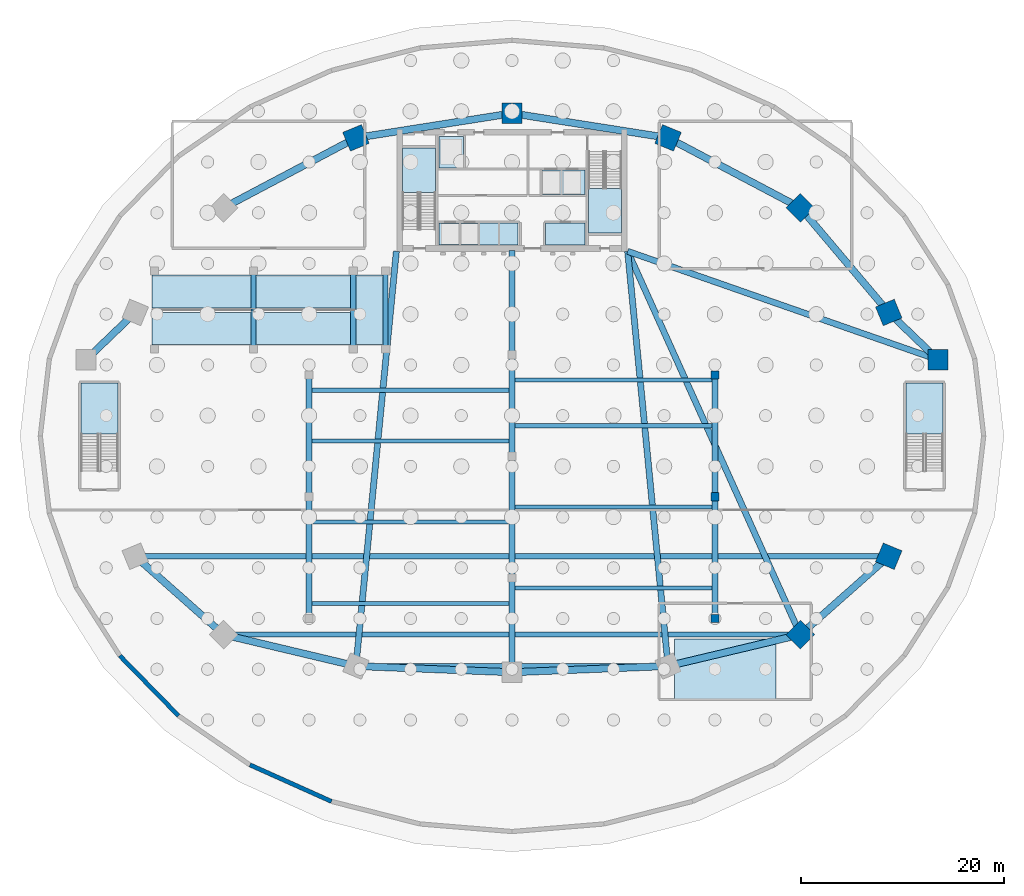
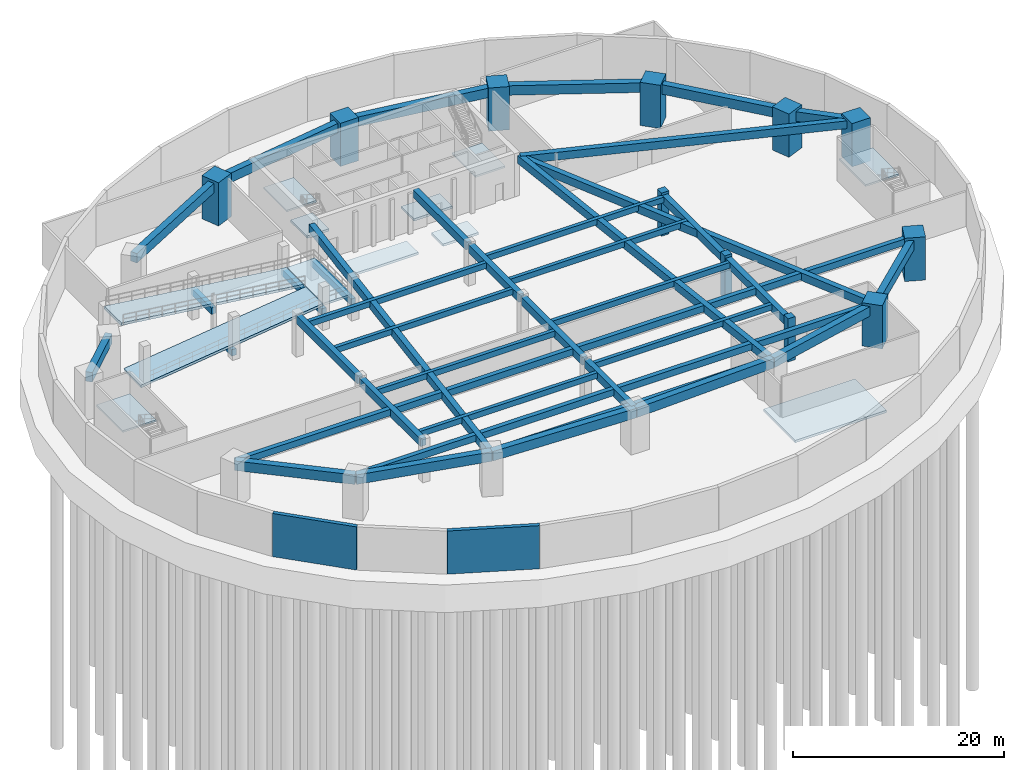
# One storey, part 3 of 11: 40 beams, 12 slabs, 11 columns, 2 walls, 4 elements without a shape of their own.
"""IFC4 building model written with IfcOpenShell, lengths in metres."""

import ifcopenshell
import ifcopenshell.guid

model = None  # the IFC model being written
_history = None  # IfcOwnerHistory: only IFC2X3 demands one
_inside = {}  # id of a spatial element -> (the spatial element, [elements in it])
_under = {}  # id of a project, library or spatial element -> (it, [spatial elements below it])
_declared = {}  # id of a project -> (the project, [libraries it declares])
_typed = {}  # id of a type object -> (the type object, [elements of that type])
_made_of = {}  # id of a material, layer set ... -> (it, [elements and type objects made of it])


def new_model(schema):
    """Start an empty IFC model of exactly this schema.

    Asked for "IFC4X3", IfcOpenShell would pick the latest addendum, in which some entities
    have other attributes; the version numbers below select the first issue.
    IFC2X3 requires an IfcOwnerHistory on every rooted entity: one is made here for all.
    """
    global model, _history
    if schema == "IFC4X3":
        model = ifcopenshell.file(schema_version=(4, 3, 0, 0))
    else:
        model = ifcopenshell.file(schema=schema)
    _inside.clear()
    _under.clear()
    _declared.clear()
    _typed.clear()
    _made_of.clear()
    _history = None
    if model.schema == "IFC2X3":
        org = make("IfcOrganization", Name="unknown")
        user = make(
            "IfcPersonAndOrganization",
            ThePerson=make("IfcPerson", FamilyName="unknown"),
            TheOrganization=org,
        )
        app = make(
            "IfcApplication",
            ApplicationDeveloper=org,
            Version="unknown",
            ApplicationFullName="unknown",
            ApplicationIdentifier="unknown",
        )
        _history = make(
            "IfcOwnerHistory",
            OwningUser=user,
            OwningApplication=app,
            ChangeAction="ADDED",
            CreationDate=0,
        )
    return model


def make(cls, **values):
    """One entity of the class cls with the attributes given. An attribute that is None is left unset."""
    return model.create_entity(
        cls, **{name: value for name, value in values.items() if value is not None}
    )


def rooted(cls, **values):
    """An entity with a GlobalId (a new one), such as an element, a storey or a relation."""
    return make(cls, GlobalId=ifcopenshell.guid.new(), OwnerHistory=_history, **values)


def si_unit(unit_type, name, prefix=None):
    """IfcSIUnit, for example si_unit("LENGTHUNIT", "METRE", prefix="MILLI")."""
    return make("IfcSIUnit", UnitType=unit_type, Prefix=prefix, Name=name)


def assignment(units):
    """IfcUnitAssignment: the units of a project."""
    return None if units is None else make("IfcUnitAssignment", Units=units)


def point(xyz):
    """IfcCartesianPoint."""
    return None if xyz is None else make("IfcCartesianPoint", Coordinates=xyz)


def direction(xyz):
    """IfcDirection."""
    return None if xyz is None else make("IfcDirection", DirectionRatios=xyz)


def frame(location, z_axis=None, x_axis=None):
    """IfcAxis2Placement3D, a coordinate frame: its origin and axes. An axis left out is left unset."""
    return make(
        "IfcAxis2Placement3D",
        Location=point(location),
        Axis=direction(z_axis),
        RefDirection=direction(x_axis),
    )


def frame_2d(location, x_axis=None):
    """IfcAxis2Placement2D, a coordinate frame in the plane: its origin and x axis."""
    return make(
        "IfcAxis2Placement2D", Location=point(location), RefDirection=direction(x_axis)
    )


def origin():
    """The frame at (0, 0, 0) with its axes left unset."""
    return frame((0.0, 0.0, 0.0))


def origin_2d():
    """The frame at (0, 0) in the plane with its x axis left unset."""
    return frame_2d((0.0, 0.0))


def place(relative_to, where):
    """IfcLocalPlacement: puts the frame where relative to a parent placement (None: the world)."""
    return make(
        "IfcLocalPlacement", PlacementRelTo=relative_to, RelativePlacement=where
    )


def context(
    kind, dimensions, precision=None, world=None, true_north=None, identifier=None
):
    """IfcGeometricRepresentationContext, for example the 3D "Model" context."""
    return make(
        "IfcGeometricRepresentationContext",
        ContextIdentifier=identifier,
        ContextType=kind,
        CoordinateSpaceDimension=dimensions,
        Precision=precision,
        WorldCoordinateSystem=world,
        TrueNorth=true_north,
    )


def subcontext(parent, identifier, kind, view, scale=None):
    """IfcGeometricRepresentationSubContext, for example "Body" below "Model"."""
    return make(
        "IfcGeometricRepresentationSubContext",
        ContextIdentifier=identifier,
        ContextType=kind,
        ParentContext=parent,
        TargetScale=scale,
        TargetView=view,
    )


def project(units=None, contexts=None):
    """IfcProject with its units and contexts."""
    return rooted(
        "IfcProject",
        Name="project",
        RepresentationContexts=contexts,
        UnitsInContext=assignment(units),
    )


def spatial(cls, under=None, at=None, **own):
    """A site, building, storey or space (cls), placed at a placement, below another one or the project."""
    s = rooted(cls, ObjectPlacement=at, **own)
    if under is not None:
        _under.setdefault(under.id(), (under, []))[1].append(s)
    return s


def polyline(points):
    """IfcPolyline through the points."""
    return make("IfcPolyline", Points=[point(p) for p in points])


def profile(cls, at=None, kind="AREA", **sizes):
    """A parametric profile (cls). Its sizes go by their IFC names, for example OverallWidth=200.0."""
    return make(cls, ProfileType=kind, Position=at, **sizes)


def rectangle(**sizes):
    """IfcRectangleProfileDef."""
    return profile("IfcRectangleProfileDef", **sizes)


def outline(outer, holes=None, kind="AREA"):
    """IfcArbitraryClosedProfileDef: a profile drawn as a closed curve; with holes, ...WithVoids."""
    if holes is None:
        return make("IfcArbitraryClosedProfileDef", ProfileType=kind, OuterCurve=outer)
    return make(
        "IfcArbitraryProfileDefWithVoids",
        ProfileType=kind,
        OuterCurve=outer,
        InnerCurves=holes,
    )


def extrude(swept, where, along, depth):
    """IfcExtrudedAreaSolid: the profile swept, set in the frame where, extruded along a direction by depth."""
    return make(
        "IfcExtrudedAreaSolid",
        SweptArea=swept,
        Position=where,
        ExtrudedDirection=direction(along),
        Depth=depth,
    )


def shape(context_of_items, identifier, shape_type, items):
    """IfcShapeRepresentation: the items that make up one representation, for example the "Body"."""
    return make(
        "IfcShapeRepresentation",
        ContextOfItems=context_of_items,
        RepresentationIdentifier=identifier,
        RepresentationType=shape_type,
        Items=items,
    )


def source(mapping_origin, context_of_items, identifier, shape_type, items):
    """IfcRepresentationMap: a shape defined once, which mapped items show again and again."""
    return make(
        "IfcRepresentationMap",
        MappingOrigin=mapping_origin,
        MappedRepresentation=shape(context_of_items, identifier, shape_type, items),
    )


def transform(
    local_origin,
    x_axis=None,
    y_axis=None,
    z_axis=None,
    scale=None,
    scale2=None,
    scale3=None,
    uniform=True,
):
    """IfcCartesianTransformationOperator3D, or its non-uniform kind. x_axis, y_axis, z_axis: its Axis1, 2, 3."""
    if uniform:
        return make(
            "IfcCartesianTransformationOperator3D",
            Axis1=direction(x_axis),
            Axis2=direction(y_axis),
            LocalOrigin=point(local_origin),
            Scale=scale,
            Axis3=direction(z_axis),
        )
    return make(
        "IfcCartesianTransformationOperator3DnonUniform",
        Axis1=direction(x_axis),
        Axis2=direction(y_axis),
        LocalOrigin=point(local_origin),
        Scale=scale,
        Axis3=direction(z_axis),
        Scale2=scale2,
        Scale3=scale3,
    )


def mapped(mapping_source, mapping_target):
    """IfcMappedItem: shows the shape of a source again, moved by a transform."""
    return make(
        "IfcMappedItem", MappingSource=mapping_source, MappingTarget=mapping_target
    )


def material(Name=None, Category=None):
    """IfcMaterial."""
    return make("IfcMaterial", Name=Name, Category=Category)


def layer(
    of_material, thickness, ventilated=None, Name=None, Category=None, Priority=None
):
    """IfcMaterialLayer: one layer of a wall or slab, of a material (None: an air gap)."""
    return make(
        "IfcMaterialLayer",
        Material=of_material,
        LayerThickness=thickness,
        IsVentilated=ventilated,
        Name=Name,
        Category=Category,
        Priority=Priority,
    )


def layer_set(layers, Name=None):
    """IfcMaterialLayerSet."""
    return make("IfcMaterialLayerSet", MaterialLayers=layers, LayerSetName=Name)


def material_profile(
    of_material, cross_section, Name=None, Category=None, Priority=None
):
    """IfcMaterialProfile: a cross section and its material."""
    return make(
        "IfcMaterialProfile",
        Name=Name,
        Material=of_material,
        Profile=cross_section,
        Priority=Priority,
        Category=Category,
    )


def profile_set(profiles, Name=None, composite=None):
    """IfcMaterialProfileSet."""
    return make(
        "IfcMaterialProfileSet",
        Name=Name,
        MaterialProfiles=profiles,
        CompositeProfile=composite,
    )


def made_of(thing, what):
    """Note that an element or type object is made of a material, layer set ...; save() writes the relation."""
    if what is not None:
        _made_of.setdefault(what.id(), (what, []))[1].append(thing)
    return thing


def type_object(cls, material=None, **own):
    """A type object (cls), such as IfcWallType, which elements share."""
    return made_of(rooted(cls, **own), material)


def type_shapes(of_type, sources):
    """Give a type object the sources (RepresentationMaps) that its elements show as mapped items."""
    of_type.RepresentationMaps = sources


def element(
    cls,
    number,
    at=None,
    inside=None,
    cuts=None,
    type_object=None,
    material=None,
    context=None,
    identifier="Body",
    shape_type=None,
    held_by="IfcProductDefinitionShape",
    body=None,
    shapes=None,
    **own,
):
    """One element of the class cls, such as IfcWall. Its Tag is "e" and its number.

    at: its placement. inside: the storey or other place that contains it. cuts: it is an
    opening in that element (IfcRelVoidsElement). A single representation is given by context,
    identifier, shape_type and body (its items); several are given by shapes. held_by: the class
    of the entity that holds the representations. save() writes the other relations.
    """
    e = rooted(cls, Tag="e%d" % number, ObjectPlacement=at, **own)
    if body is not None:
        shapes = [shape(context, identifier, shape_type, body)]
    if shapes is not None:
        e.Representation = make(held_by, Representations=shapes)
    if inside is not None:
        _inside.setdefault(inside.id(), (inside, []))[1].append(e)
    if cuts is not None:
        rooted(
            "IfcRelVoidsElement", RelatingBuildingElement=cuts, RelatedOpeningElement=e
        )
    if type_object is not None:
        _typed.setdefault(type_object.id(), (type_object, []))[1].append(e)
    return made_of(e, material)


def aggregate(whole, parts):
    """IfcRelAggregates: a whole, such as a stair, and the parts it consists of."""
    return rooted("IfcRelAggregates", RelatingObject=whole, RelatedObjects=parts)


def save(model, path):
    """Write the relations noted so far, then the file.

    IfcRelAggregates (storeys below a building ...), IfcRelContainedInSpatialStructure (elements
    in a storey), IfcRelDefinesByType, IfcRelAssociatesMaterial and IfcRelDeclares: one each for
    every whole, place, type object, material and project.
    """
    for whole, parts in _under.values():
        aggregate(whole, parts)
    for where, things in _inside.values():
        rooted(
            "IfcRelContainedInSpatialStructure",
            RelatedElements=things,
            RelatingStructure=where,
        )
    for kind, things in _typed.values():
        rooted("IfcRelDefinesByType", RelatedObjects=things, RelatingType=kind)
    for what, things in _made_of.values():
        rooted("IfcRelAssociatesMaterial", RelatedObjects=things, RelatingMaterial=what)
    for by, libraries in _declared.values():
        rooted("IfcRelDeclares", RelatingContext=by, RelatedDefinitions=libraries)
    model.write(path)


model = new_model("IFC4")

# Units and contexts
model_context = context("Model", 3, precision=1e-05, world=origin(), true_north=direction((0.0, 1.0)))
body_context = subcontext(model_context, "Body", "Model", "MODEL_VIEW")
ifc_project = project(units=[si_unit("LENGTHUNIT", "METRE"), si_unit("AREAUNIT", "SQUARE_METRE"), si_unit("VOLUMEUNIT", "CUBIC_METRE"), si_unit("PLANEANGLEUNIT", "RADIAN"), si_unit("MASSUNIT", "GRAM", prefix="KILO")], contexts=[model_context])

# Site, building, storey
site_placement = place(None, origin())
site = spatial("IfcSite", under=ifc_project, at=site_placement, CompositionType="ELEMENT")
building_placement = place(site_placement, origin())
building = spatial("IfcBuilding", under=site, at=building_placement, Name="Breltana Convention Tower", CompositionType="ELEMENT")
storey_placement = place(building_placement, frame((0.0, 0.0, -10.0)))
storey = spatial("IfcBuildingStorey", under=building, at=storey_placement, Name="B02", CompositionType="ELEMENT", Elevation=-10.0)

# Columns
ifc_material_1 = material(Name="Concrete C60/75", Category="concrete")
ifc_material_profile_1 = material_profile(ifc_material_1, rectangle(XDim=2.0, YDim=2.0, at=origin_2d()), Name="RC-COL-2000X2000")
ifc_profile_set_1 = profile_set([ifc_material_profile_1], Name="Concrete C60/75")
column_type_1 = type_object("IfcColumnType", Name="COL-MC-2000", PredefinedType="COLUMN", material=ifc_profile_set_1)
shared_shape_1 = source(origin(), body_context, "Body", "SweptSolid", [
    extrude(rectangle(XDim=2.0, YDim=2.0, at=origin_2d()), origin(), (0.0, 0.0, 1.0), 5.0),
])
type_shapes(column_type_1, [shared_shape_1])
for number, where, z_axis, x_axis, name in (
    (1, (90.0, 49.5, 0.0), (0.0, 0.0, 1.0), (1.0, 0.0, 0.0), "B02 Podium Mega-Column MC-01"),
    (2, (85.139892578125, 54.169189453125, 0.0), (0.0, 0.0, 1.0), (0.923879532511, 0.382683432365, 0.0), "B02 Podium Mega-Column MC-02"),
    (3, (76.42578125, 64.486083984375, 0.0), (0.0, 0.0, 1.0), (0.707106781187, 0.707106781187, 0.0), "B02 Podium Mega-Column MC-03"),
    (4, (63.3837890625, 71.37939453125, 0.0), (0.0, 0.0, 1.0), (0.382683432365, 0.923879532511, 0.0), "B02 Podium Mega-Column MC-04"),
    (5, (48.0, 73.800048828125, 0.0), (0.0, 0.0, 1.0), (0.0, 1.0, 0.0), "B02 Podium Mega-Column MC-05"),
    (6, (32.6162109375, 71.37939453125, 0.0), (0.0, 0.0, 1.0), (-0.382683432365, 0.923879532511, 0.0), "B02 Podium Mega-Column MC-06"),
    (7, (76.42578125, 22.412109375, 0.0), (0.0, 0.0, 1.0), (0.707106781187, -0.707106781187, 0.0), "B02 Podium Mega-Column MC-15"),
    (8, (85.139892578125, 30.136962890625, 0.0), (0.0, 0.0, 1.0), (0.923879532511, -0.382683432365, 0.0), "B02 Podium Mega-Column MC-16"),
):
    element("IfcColumn", number, at=place(storey_placement, frame(where, z_axis=z_axis, x_axis=x_axis)), inside=storey, type_object=column_type_1, Name=name, PredefinedType="COLUMN", context=body_context, shape_type="MappedRepresentation", body=[
        mapped(shared_shape_1, transform((0.0, 0.0, 0.0), scale=1.0)),
    ])
ifc_material_2 = material(Name="Concrete C50/60", Category="concrete")
ifc_material_profile_2 = material_profile(ifc_material_2, rectangle(XDim=0.800048828125, YDim=0.800048828125, at=origin_2d()), Name="RC-COL-800X800")
ifc_profile_set_2 = profile_set([ifc_material_profile_2], Name="Concrete C50/60")
column_type_2 = type_object("IfcColumnType", Name="COL-RC-800", PredefinedType="COLUMN", material=ifc_profile_set_2)
shared_shape_2 = source(origin(), body_context, "Body", "SweptSolid", [
    extrude(rectangle(XDim=0.800048828125, YDim=0.800048828125, at=origin_2d()), origin(), (0.0, 0.0, 1.0), 5.0),
])
type_shapes(column_type_2, [shared_shape_2])
for number, where, z_axis, x_axis, name in (
    (9, (68.0, 24.0, 0.0), (0.0, 0.0, 1.0), (1.0, 0.0, 0.0), "B02 Basement Parking Grid Column BG-E1"),
    (10, (68.0, 36.0, 0.0), (0.0, 0.0, 1.0), (1.0, 0.0, 0.0), "B02 Basement Parking Grid Column BG-E2"),
    (11, (68.0, 48.0, 0.0), (0.0, 0.0, 1.0), (1.0, 0.0, 0.0), "B02 Basement Parking Grid Column BG-E3"),
):
    element("IfcColumn", number, at=place(storey_placement, frame(where, z_axis=z_axis, x_axis=x_axis)), inside=storey, type_object=column_type_2, Name=name, PredefinedType="COLUMN", context=body_context, shape_type="MappedRepresentation", body=[
        mapped(shared_shape_2, transform((0.0, 0.0, 0.0), scale=1.0)),
    ])

# Beams
ifc_material_3 = material(Name="Concrete C40/50", Category="concrete")
ifc_material_profile_3 = material_profile(ifc_material_3, rectangle(XDim=0.699951171875, YDim=1.10009765625, at=origin_2d()), Name="RC-BM-700X1100")
ifc_profile_set_3 = profile_set([ifc_material_profile_3], Name="Concrete C40/50")
beam_type_1 = type_object("IfcBeamType", Name="BM-RC-700X1100", PredefinedType="USERDEFINED", material=ifc_profile_set_3)
shared_shape_3 = source(origin(), body_context, "Body", "SweptSolid", [
    extrude(rectangle(XDim=0.699951171875, YDim=1.10009765625, at=origin_2d()), origin(), (0.0, 0.0, 1.0), 6.739501953125),
])
type_shapes(beam_type_1, [shared_shape_3])
for number, where, z_axis, x_axis, name in (
    (12, (90.0, 49.5, 4.14990234375), (-0.721128840463, 0.692800978242, 0.0), (-0.692800978242, -0.721128840463, 0.0), "B02 Podium Ring Girder 01"),
    (13, (10.860107421875, 54.169189453125, 4.14990234375), (-0.721128840463, -0.692800978242, 0.0), (0.692800978242, -0.721128840463, 0.0), "B02 Podium Ring Girder 08"),
):
    element("IfcBeam", number, at=place(storey_placement, frame(where, z_axis=z_axis, x_axis=x_axis)), inside=storey, type_object=beam_type_1, Name=name, ObjectType="GIRDER", PredefinedType="USERDEFINED", context=body_context, shape_type="MappedRepresentation", body=[
        mapped(shared_shape_3, transform((0.0, 0.0, 0.0), scale=1.0)),
    ])
shared_shape_4 = source(origin(), body_context, "Body", "SweptSolid", [
    extrude(rectangle(XDim=0.699951171875, YDim=1.10009765625, at=origin_2d()), origin(), (0.0, 0.0, 1.0), 13.504638671875),
])
beam_1_placement = place(storey_placement, frame((85.139892578125, 54.169189453125, 4.14990234375), z_axis=(-0.645270162831, 0.763954460004, 0.0), x_axis=(-0.763954460004, -0.645270162831, 0.0)))
element("IfcBeam", 14, at=beam_1_placement, inside=storey, type_object=beam_type_1, Name="B02 Podium Ring Girder 02", ObjectType="GIRDER", PredefinedType="USERDEFINED", context=body_context, shape_type="MappedRepresentation", body=[
    mapped(shared_shape_4, transform((0.0, 0.0, 0.0), scale=1.0)),
])
shared_shape_5 = source(origin(), body_context, "Body", "SweptSolid", [
    extrude(rectangle(XDim=0.699951171875, YDim=1.10009765625, at=origin_2d()), origin(), (0.0, 0.0, 1.0), 14.751708984375),
])
for number, where, z_axis, x_axis, name in (
    (15, (76.42578125, 64.486083984375, 4.14990234375), (-0.884103731281, 0.467290693611, 0.0), (-0.467290693611, -0.884103731281, 0.0), "B02 Podium Ring Girder 03"),
    (16, (32.6162109375, 71.37939453125, 4.14990234375), (-0.884103731281, -0.467290693611, 0.0), (0.467290693611, -0.884103731281, 0.0), "B02 Podium Ring Girder 06"),
):
    element("IfcBeam", number, at=place(storey_placement, frame(where, z_axis=z_axis, x_axis=x_axis)), inside=storey, type_object=beam_type_1, Name=name, ObjectType="GIRDER", PredefinedType="USERDEFINED", context=body_context, shape_type="MappedRepresentation", body=[
        mapped(shared_shape_5, transform((0.0, 0.0, 0.0), scale=1.0)),
    ])
shared_shape_6 = source(origin(), body_context, "Body", "SweptSolid", [
    extrude(rectangle(XDim=0.699951171875, YDim=1.10009765625, at=origin_2d()), origin(), (0.0, 0.0, 1.0), 15.572998046875),
])
for number, where, z_axis, x_axis, name in (
    (17, (63.3837890625, 71.37939453125, 4.14990234375), (-0.987845575975, 0.155438470225, 0.0), (-0.155438470225, -0.987845575975, 0.0), "B02 Podium Ring Girder 04"),
    (18, (48.0, 73.800048828125, 4.14990234375), (-0.987845575975, -0.155438470225, 0.0), (0.155438470225, -0.987845575975, 0.0), "B02 Podium Ring Girder 05"),
):
    element("IfcBeam", number, at=place(storey_placement, frame(where, z_axis=z_axis, x_axis=x_axis)), inside=storey, type_object=beam_type_1, Name=name, ObjectType="GIRDER", PredefinedType="USERDEFINED", context=body_context, shape_type="MappedRepresentation", body=[
        mapped(shared_shape_6, transform((0.0, 0.0, 0.0), scale=1.0)),
    ])
shared_shape_7 = source(origin(), body_context, "Body", "SweptSolid", [
    extrude(rectangle(XDim=0.699951171875, YDim=1.10009765625, at=origin_2d()), origin(), (0.0, 0.0, 1.0), 11.64501953125),
])
for number, where, z_axis, x_axis, name in (
    (19, (10.860107421875, 30.136962890625, 4.14990234375), (0.748305074373, -0.663354743458, 0.0), (0.663354743458, 0.748305074373, 0.0), "B02 Podium Ring Girder 10"),
    (20, (76.42578125, 22.412109375, 4.14990234375), (0.748305074373, 0.663354743458, 0.0), (-0.663354743458, 0.748305074373, 0.0), "B02 Podium Ring Girder 15"),
):
    element("IfcBeam", number, at=place(storey_placement, frame(where, z_axis=z_axis, x_axis=x_axis)), inside=storey, type_object=beam_type_1, Name=name, ObjectType="GIRDER", PredefinedType="USERDEFINED", context=body_context, shape_type="MappedRepresentation", body=[
        mapped(shared_shape_7, transform((0.0, 0.0, 0.0), scale=1.0)),
    ])
shared_shape_8 = source(origin(), body_context, "Body", "SweptSolid", [
    extrude(rectangle(XDim=0.699951171875, YDim=1.10009765625, at=origin_2d()), origin(), (0.0, 0.0, 1.0), 13.4052734375),
])
for number, where, z_axis, x_axis, name in (
    (21, (19.57421875, 22.412109375, 4.14990234375), (0.972900712446, -0.231223276773, 0.0), (0.231223276773, 0.972900712446, 0.0), "B02 Podium Ring Girder 11"),
    (22, (63.3837890625, 19.3125, 4.14990234375), (0.972900712446, 0.231223276773, 0.0), (-0.231223276773, 0.972900712446, 0.0), "B02 Podium Ring Girder 14"),
):
    element("IfcBeam", number, at=place(storey_placement, frame(where, z_axis=z_axis, x_axis=x_axis)), inside=storey, type_object=beam_type_1, Name=name, ObjectType="GIRDER", PredefinedType="USERDEFINED", context=body_context, shape_type="MappedRepresentation", body=[
        mapped(shared_shape_8, transform((0.0, 0.0, 0.0), scale=1.0)),
    ])
shared_shape_9 = source(origin(), body_context, "Body", "SweptSolid", [
    extrude(rectangle(XDim=0.699951171875, YDim=1.10009765625, at=origin_2d()), origin(), (0.0, 0.0, 1.0), 15.39599609375),
])
for number, where, z_axis, x_axis, name in (
    (23, (32.6162109375, 19.3125, 4.14990234375), (0.99920821229, -0.039786285226, 0.0), (0.039786285226, 0.99920821229, 0.0), "B02 Podium Ring Girder 12"),
    (24, (48.0, 18.699951171875, 4.14990234375), (0.99920821229, 0.039786285226, 0.0), (-0.039786285226, 0.99920821229, 0.0), "B02 Podium Ring Girder 13"),
):
    element("IfcBeam", number, at=place(storey_placement, frame(where, z_axis=z_axis, x_axis=x_axis)), inside=storey, type_object=beam_type_1, Name=name, ObjectType="GIRDER", PredefinedType="USERDEFINED", context=body_context, shape_type="MappedRepresentation", body=[
        mapped(shared_shape_9, transform((0.0, 0.0, 0.0), scale=1.0)),
    ])
ifc_material_profile_4 = material_profile(ifc_material_3, rectangle(XDim=0.60009765625, YDim=0.89990234375, at=origin_2d()), Name="RC-BM-600X900")
ifc_profile_set_4 = profile_set([ifc_material_profile_4], Name="Concrete C40/50")
beam_type_2 = type_object("IfcBeamType", Name="BM-RC-600X900", PredefinedType="USERDEFINED", material=ifc_profile_set_4)
shared_shape_10 = source(origin(), body_context, "Body", "SweptSolid", [
    extrude(rectangle(XDim=0.60009765625, YDim=0.89990234375, at=origin_2d()), origin(), (0.0, 0.0, 1.0), 32.4169921875),
])
type_shapes(beam_type_2, [shared_shape_10])
beam_2_placement = place(storey_placement, frame((90.0, 49.5, 4.25), z_axis=(-0.943955299763, 0.330073313143, 0.0), x_axis=(-0.330073313143, -0.943955299763, 0.0)))
element("IfcBeam", 25, at=beam_2_placement, inside=storey, type_object=beam_type_2, Name="B02 Long-Span Convention Girder 01", ObjectType="GIRDER", PredefinedType="USERDEFINED", context=body_context, shape_type="MappedRepresentation", body=[
    mapped(shared_shape_10, transform((0.0, 0.0, 0.0), scale=1.0)),
])
shared_shape_11 = source(origin(), body_context, "Body", "SweptSolid", [
    extrude(rectangle(XDim=0.60009765625, YDim=0.89990234375, at=origin_2d()), origin(), (0.0, 0.0, 1.0), 41.0810546875),
])
for number, where, z_axis, x_axis, name in (
    (26, (32.6162109375, 19.3125, 4.25), (0.096976195785, 0.995286701132, 0.0), (-0.995286701132, 0.096976195785, 0.0), "B02 Long-Span Convention Girder 12"),
    (27, (63.3837890625, 19.3125, 4.25), (-0.096976195785, 0.995286701132, 0.0), (-0.995286701132, -0.096976195785, 0.0), "B02 Long-Span Convention Girder 14"),
):
    element("IfcBeam", number, at=place(storey_placement, frame(where, z_axis=z_axis, x_axis=x_axis)), inside=storey, type_object=beam_type_2, Name=name, ObjectType="GIRDER", PredefinedType="USERDEFINED", context=body_context, shape_type="MappedRepresentation", body=[
        mapped(shared_shape_11, transform((0.0, 0.0, 0.0), scale=1.0)),
    ])
shared_shape_12 = source(origin(), body_context, "Body", "SweptSolid", [
    extrude(rectangle(XDim=0.60009765625, YDim=0.89990234375, at=origin_2d()), origin(), (0.0, 0.0, 1.0), 41.4462890625),
])
beam_3_placement = place(storey_placement, frame((76.42578125, 22.412109375, 4.25), z_axis=(-0.410793011164, 0.911728633958, 0.0), x_axis=(-0.911728633958, -0.410793011164, 0.0)))
element("IfcBeam", 28, at=beam_3_placement, inside=storey, type_object=beam_type_2, Name="B02 Long-Span Convention Girder 15", ObjectType="GIRDER", PredefinedType="USERDEFINED", context=body_context, shape_type="MappedRepresentation", body=[
    mapped(shared_shape_12, transform((0.0, 0.0, 0.0), scale=1.0)),
])
ifc_material_profile_5 = material_profile(ifc_material_3, rectangle(XDim=0.5, YDim=0.75, at=origin_2d()), Name="RC-BM-500X750")
ifc_profile_set_5 = profile_set([ifc_material_profile_5], Name="Concrete C40/50")
beam_type_3 = type_object("IfcBeamType", Name="BM-RC-500X750", PredefinedType="BEAM", material=ifc_profile_set_5)
shared_shape_13 = source(origin(), body_context, "Body", "SweptSolid", [
    extrude(rectangle(XDim=0.5, YDim=0.75, at=origin_2d()), origin(), (0.0, 0.0, 1.0), 74.27978515625),
])
type_shapes(beam_type_3, [shared_shape_13])
beam_4_placement = place(storey_placement, frame((10.860107421875, 30.136962890625, 4.324951171875), z_axis=(1.0, 0.0, 0.0), x_axis=(0.0, 1.0, 0.0)))
element("IfcBeam", 29, at=beam_4_placement, inside=storey, type_object=beam_type_3, Name="B02 Long-Span Hall Secondary Beam 01", PredefinedType="BEAM", context=body_context, shape_type="MappedRepresentation", body=[
    mapped(shared_shape_13, transform((0.0, 0.0, 0.0), scale=1.0)),
])
shared_shape_14 = source(origin(), body_context, "Body", "SweptSolid", [
    extrude(rectangle(XDim=0.5, YDim=0.75, at=origin_2d()), origin(), (0.0, 0.0, 1.0), 56.8515625),
])
beam_5_placement = place(storey_placement, frame((19.57421875, 22.412109375, 4.324951171875), z_axis=(1.0, 0.0, 0.0), x_axis=(0.0, 1.0, 0.0)))
element("IfcBeam", 30, at=beam_5_placement, inside=storey, type_object=beam_type_3, Name="B02 Long-Span Hall Secondary Beam 02", PredefinedType="BEAM", context=body_context, shape_type="MappedRepresentation", body=[
    mapped(shared_shape_14, transform((0.0, 0.0, 0.0), scale=1.0)),
])
shared_shape_15 = source(origin(), body_context, "Body", "SweptSolid", [
    extrude(rectangle(XDim=0.5, YDim=0.75, at=origin_2d()), origin(), (0.0, 0.0, 1.0), 30.767578125),
])
beam_6_placement = place(storey_placement, frame((32.6162109375, 19.3125, 4.324951171875), z_axis=(1.0, 0.0, 0.0), x_axis=(0.0, 1.0, 0.0)))
element("IfcBeam", 31, at=beam_6_placement, inside=storey, type_object=beam_type_3, Name="B02 Long-Span Hall Secondary Beam 03", PredefinedType="BEAM", context=body_context, shape_type="MappedRepresentation", body=[
    mapped(shared_shape_15, transform((0.0, 0.0, 0.0), scale=1.0)),
])
shared_shape_16 = source(origin(), body_context, "Body", "SweptSolid", [
    extrude(rectangle(XDim=0.60009765625, YDim=0.89990234375, at=origin_2d()), origin(), (0.0, 0.0, 1.0), 11.60009765625),
])
for number, where, z_axis, x_axis, name in (
    (32, (28.0, 24.199951171875, 4.25), (0.0, 1.0, 0.0), (-1.0, 0.0, 0.0), "B02 Basement N-S Collector Girder W1"),
    (33, (28.0, 36.199951171875, 4.25), (0.0, 1.0, 0.0), (-1.0, 0.0, 0.0), "B02 Basement N-S Collector Girder W2"),
    (34, (48.0, 28.199951171875, 4.25), (0.0, 1.0, 0.0), (-1.0, 0.0, 0.0), "B02 Basement N-S Collector Girder C2"),
    (35, (68.0, 24.199951171875, 4.25), (0.0, 1.0, 0.0), (-1.0, 0.0, 0.0), "B02 Basement N-S Collector Girder E1"),
    (36, (68.0, 36.199951171875, 4.25), (0.0, 1.0, 0.0), (-1.0, 0.0, 0.0), "B02 Basement N-S Collector Girder E2"),
):
    element("IfcBeam", number, at=place(storey_placement, frame(where, z_axis=z_axis, x_axis=x_axis)), inside=storey, type_object=beam_type_2, Name=name, ObjectType="GIRDER", PredefinedType="USERDEFINED", context=body_context, shape_type="MappedRepresentation", body=[
        mapped(shared_shape_16, transform((0.0, 0.0, 0.0), scale=1.0)),
    ])
shared_shape_17 = source(origin(), body_context, "Body", "SweptSolid", [
    extrude(rectangle(XDim=0.60009765625, YDim=0.89990234375, at=origin_2d()), origin(), (0.0, 0.0, 1.0), 8.900146484375),
])
beam_7_placement = place(storey_placement, frame((48.0, 18.89990234375, 4.25), z_axis=(0.0, 1.0, 0.0), x_axis=(-1.0, 0.0, 0.0)))
element("IfcBeam", 37, at=beam_7_placement, inside=storey, type_object=beam_type_2, Name="B02 Basement N-S Collector Girder C1", ObjectType="GIRDER", PredefinedType="USERDEFINED", context=body_context, shape_type="MappedRepresentation", body=[
    mapped(shared_shape_17, transform((0.0, 0.0, 0.0), scale=1.0)),
])
shared_shape_18 = source(origin(), body_context, "Body", "SweptSolid", [
    extrude(rectangle(XDim=0.60009765625, YDim=0.89990234375, at=origin_2d()), origin(), (0.0, 0.0, 1.0), 9.60009765625),
])
beam_8_placement = place(storey_placement, frame((48.0, 40.199951171875, 4.25), z_axis=(0.0, 1.0, 0.0), x_axis=(-1.0, 0.0, 0.0)))
element("IfcBeam", 38, at=beam_8_placement, inside=storey, type_object=beam_type_2, Name="B02 Basement N-S Collector Girder C3", ObjectType="GIRDER", PredefinedType="USERDEFINED", context=body_context, shape_type="MappedRepresentation", body=[
    mapped(shared_shape_18, transform((0.0, 0.0, 0.0), scale=1.0)),
])
shared_shape_19 = source(origin(), body_context, "Body", "SweptSolid", [
    extrude(rectangle(XDim=0.60009765625, YDim=0.89990234375, at=origin_2d()), origin(), (0.0, 0.0, 1.0), 10.074951171875),
])
beam_9_placement = place(storey_placement, frame((48.0, 50.199951171875, 4.25), z_axis=(0.0, 1.0, 0.0), x_axis=(-1.0, 0.0, 0.0)))
element("IfcBeam", 39, at=beam_9_placement, inside=storey, type_object=beam_type_2, Name="B02 Basement N-S Collector Girder C4", ObjectType="GIRDER", PredefinedType="USERDEFINED", context=body_context, shape_type="MappedRepresentation", body=[
    mapped(shared_shape_19, transform((0.0, 0.0, 0.0), scale=1.0)),
])
ifc_material_profile_6 = material_profile(ifc_material_3, rectangle(XDim=0.39990234375, YDim=0.64990234375, at=origin_2d()), Name="RC-BM-400X650")
ifc_profile_set_6 = profile_set([ifc_material_profile_6], Name="Concrete C40/50")
beam_type_4 = type_object("IfcBeamType", Name="BM-RC-400X650", PredefinedType="BEAM", material=ifc_profile_set_6)
shared_shape_20 = source(origin(), body_context, "Body", "SweptSolid", [
    extrude(rectangle(XDim=0.39990234375, YDim=0.64990234375, at=origin_2d()), origin(), (0.0, 0.0, 1.0), 19.56005859375),
])
type_shapes(beam_type_4, [shared_shape_20])
for number, where, z_axis, x_axis, name in (
    (40, (28.219970703125, 25.5, 4.375), (1.0, 0.0, 0.0), (0.0, 1.0, 0.0), "B02 BM-RC-400X650 BM-B02-HJW-255"),
    (41, (28.219970703125, 33.5, 4.375), (1.0, 0.0, 0.0), (0.0, 1.0, 0.0), "B02 BM-RC-400X650 BM-B02-HJW-335"),
    (42, (28.219970703125, 41.5, 4.375), (1.0, 0.0, 0.0), (0.0, 1.0, 0.0), "B02 BM-RC-400X650 BM-B02-HJW-415"),
    (43, (28.219970703125, 46.5, 4.375), (1.0, 0.0, 0.0), (0.0, 1.0, 0.0), "B02 BM-RC-400X650 BM-B02-HJW-465"),
    (44, (48.219970703125, 27.0, 4.375), (1.0, 0.0, 0.0), (0.0, 1.0, 0.0), "B02 BM-RC-400X650 BM-B02-HJE-270"),
    (45, (48.219970703125, 35.0, 4.375), (1.0, 0.0, 0.0), (0.0, 1.0, 0.0), "B02 BM-RC-400X650 BM-B02-HJE-350"),
    (46, (48.219970703125, 43.0, 4.375), (1.0, 0.0, 0.0), (0.0, 1.0, 0.0), "B02 BM-RC-400X650 BM-B02-HJE-430"),
    (47, (48.219970703125, 47.5, 4.375), (1.0, 0.0, 0.0), (0.0, 1.0, 0.0), "B02 BM-RC-400X650 BM-B02-HJE-475"),
):
    element("IfcBeam", number, at=place(storey_placement, frame(where, z_axis=z_axis, x_axis=x_axis)), inside=storey, type_object=beam_type_4, Name=name, PredefinedType="BEAM", context=body_context, shape_type="MappedRepresentation", body=[
        mapped(shared_shape_20, transform((0.0, 0.0, 0.0), scale=1.0)),
    ])
shared_shape_21 = source(origin(), body_context, "Body", "SweptSolid", [
    extrude(rectangle(XDim=0.5, YDim=0.75, at=origin_2d()), origin(), (0.0, 0.0, 1.0), 7.699951171875),
])
for number, where, z_axis, x_axis, name in (
    (48, (32.35009765625, 50.550048828125, 1.864990234375), (0.0, 1.0, 0.0), (-1.0, 0.0, 0.0), "B02 BM-RC-500X750 BM-RMP-B02-THROAT"),
    (49, (35.550048828125, 50.550048828125, 1.864990234375), (0.0, 1.0, 0.0), (-1.0, 0.0, 0.0), "B02 BM-RC-500X750 BM-RMP-B02-EAST"),
):
    element("IfcBeam", number, at=place(storey_placement, frame(where, z_axis=z_axis, x_axis=x_axis)), inside=storey, type_object=beam_type_3, Name=name, PredefinedType="BEAM", context=body_context, shape_type="MappedRepresentation", body=[
        mapped(shared_shape_21, transform((0.0, 0.0, 0.0), scale=1.0)),
    ])
shared_shape_22 = source(origin(), body_context, "Body", "SweptSolid", [
    extrude(rectangle(XDim=0.5, YDim=0.75, at=origin_2d()), origin(), (0.0, 0.0, 1.0), 3.85009765625),
])
beam_10_placement = place(storey_placement, frame((22.5, 54.39990234375, 3.074951171875), z_axis=(0.0, 1.0, 0.0), x_axis=(-1.0, 0.0, 0.0)))
element("IfcBeam", 50, at=beam_10_placement, inside=storey, type_object=beam_type_3, Name="B02 BM-RC-500X750 BM-RMP-B02-MID-HI", PredefinedType="BEAM", context=body_context, shape_type="MappedRepresentation", body=[
    mapped(shared_shape_22, transform((0.0, 0.0, 0.0), scale=1.0)),
])
shared_shape_23 = source(origin(), body_context, "Body", "SweptSolid", [
    extrude(rectangle(XDim=0.5, YDim=0.75, at=origin_2d()), origin(), (0.0, 0.0, 1.0), 3.849853515625),
])
beam_11_placement = place(storey_placement, frame((22.5, 50.550048828125, 0.574951171875), z_axis=(0.0, 1.0, 0.0), x_axis=(-1.0, 0.0, 0.0)))
element("IfcBeam", 51, at=beam_11_placement, inside=storey, type_object=beam_type_3, Name="B02 BM-RC-500X750 BM-RMP-B02-MID-LO", PredefinedType="BEAM", context=body_context, shape_type="MappedRepresentation", body=[
    mapped(shared_shape_23, transform((0.0, 0.0, 0.0), scale=1.0)),
])

# Slabs
ifc_layer_1 = layer(ifc_material_3, 0.27001953125, Name="Concrete C40/50")
ifc_layer_set_1 = layer_set([ifc_layer_1], Name="Concrete C40/50")
slab_type_1 = type_object("IfcSlabType", Name="SL-BASE-270", PredefinedType="BASESLAB", material=ifc_layer_set_1)
slab_1_placement = place(storey_placement, frame((0.0, 0.0, -3.469970703125)))
element("IfcSlab", 52, at=slab_1_placement, inside=storey, type_object=slab_type_1, Name="B02 Low-Rise Passenger Lift Pit Base Slab", PredefinedType="BASESLAB", context=body_context, shape_type="SweptSolid", body=[
    extrude(outline(polyline([(40.800048828125, 60.800048828125), (48.60009765625, 60.800048828125), (48.60009765625, 63.0), (40.800048828125, 63.0), (40.800048828125, 60.800048828125)])), origin(), (0.0, 0.0, 1.0), 0.27001953125),
])
slab_2_placement = place(storey_placement, frame((0.0, 0.0, -3.469970703125)))
element("IfcSlab", 53, at=slab_2_placement, inside=storey, type_object=slab_type_1, Name="B02 Express Shuttle Lift Pit Base Slab", PredefinedType="BASESLAB", context=body_context, shape_type="SweptSolid", body=[
    extrude(outline(polyline([(51.300048828125, 60.800048828125), (55.199951171875, 60.800048828125), (55.199951171875, 63.0), (51.300048828125, 63.0), (51.300048828125, 60.800048828125)])), origin(), (0.0, 0.0, 1.0), 0.27001953125),
])
slab_3_placement = place(storey_placement, frame((0.0, 0.0, -3.469970703125)))
element("IfcSlab", 54, at=slab_3_placement, inside=storey, type_object=slab_type_1, Name="B02 Firefighting Lift Pit Base Slab", PredefinedType="BASESLAB", context=body_context, shape_type="SweptSolid", body=[
    extrude(outline(polyline([(51.0, 65.800048828125), (55.199951171875, 65.800048828125), (55.199951171875, 68.199951171875), (51.0, 68.199951171875), (51.0, 65.800048828125)])), origin(), (0.0, 0.0, 1.0), 0.27001953125),
])
slab_4_placement = place(storey_placement, frame((0.0, 0.0, -3.469970703125)))
element("IfcSlab", 55, at=slab_4_placement, inside=storey, type_object=slab_type_1, Name="B02 Service Lift Pit Base Slab", PredefinedType="BASESLAB", context=body_context, shape_type="SweptSolid", body=[
    extrude(outline(polyline([(40.800048828125, 68.39990234375), (43.199951171875, 68.39990234375), (43.199951171875, 71.5), (40.800048828125, 71.5), (40.800048828125, 68.39990234375)])), origin(), (0.0, 0.0, 1.0), 0.27001953125),
])
slab_5_placement = place(storey_placement, frame((0.0, 0.0, -3.469970703125)))
element("IfcSlab", 56, at=slab_5_placement, inside=storey, type_object=slab_type_1, Name="B02 Stormwater Sump Pit Base Slab", PredefinedType="BASESLAB", context=body_context, shape_type="SweptSolid", body=[
    extrude(outline(polyline([(64.0, 16.0), (74.0, 16.0), (74.0, 22.0), (64.0, 22.0), (64.0, 16.0)])), origin(), (0.0, 0.0, 1.0), 0.27001953125),
])
ifc_layer_2 = layer(ifc_material_3, 0.300048828125, Name="Concrete C40/50")
ifc_layer_set_2 = layer_set([ifc_layer_2], Name="Concrete C40/50")
slab_type_2 = type_object("IfcSlabType", Name="SL-RAMP-FLIGHT-300", PredefinedType="USERDEFINED", material=ifc_layer_set_2)
slab_6_placement = place(storey_placement, frame((12.530029296875, 54.6201171875, 5.0), z_axis=(0.124402550918, 0.0, 0.992231830433), x_axis=(0.992231830433, 0.0, -0.124402550918)))
element("IfcSlab", 57, at=slab_6_placement, inside=storey, type_object=slab_type_2, Name="B02 Vehicular Ramp Upper Structural Slab RF-2A", ObjectType="RAMP", PredefinedType="USERDEFINED", context=body_context, shape_type="SweptSolid", body=[
    extrude(outline(polyline([(0.0, 0.0), (20.096050937551965, 0.0), (20.096050937551965, 3.22998046875), (0.0, 3.22998046875), (0.0, 0.0)])), origin(), (0.0, 0.0, -1.0), 0.300048828125),
])
slab_7_placement = place(storey_placement, frame((32.469970703125, 50.949951171875, 2.5), z_axis=(-0.124402550918, 0.0, 0.992231830433), x_axis=(-0.992231830433, 0.0, -0.124402550918)))
element("IfcSlab", 58, at=slab_7_placement, inside=storey, type_object=slab_type_2, Name="B02 Vehicular Ramp Lower Structural Slab RF-2B", ObjectType="RAMP", PredefinedType="USERDEFINED", context=body_context, shape_type="SweptSolid", body=[
    extrude(outline(polyline([(0.0, 0.0), (20.096050937551965, 0.0), (20.096050937551965, -3.22998046875), (0.0, -3.22998046875), (0.0, 0.0)])), origin(), (0.0, 0.0, -1.0), 0.300048828125),
])
ifc_layer_3 = layer(ifc_material_3, 0.260009765625, Name="Concrete C40/50")
ifc_layer_set_3 = layer_set([ifc_layer_3], Name="Concrete C40/50")
slab_type_3 = type_object("IfcSlabType", Name="SL-RAMP-LANDING-260", PredefinedType="LANDING", material=ifc_layer_set_3)
slab_8_placement = place(storey_placement, frame((0.0, 0.0, 2.239990234375)))
element("IfcSlab", 59, at=slab_8_placement, inside=storey, type_object=slab_type_3, Name="B02 Vehicular Ramp Structural Landing Slab RL-2", PredefinedType="LANDING", context=body_context, shape_type="SweptSolid", body=[
    extrude(outline(polyline([(32.5, 50.949951171875), (35.5, 50.949951171875), (35.5, 57.85009765625), (32.5, 57.85009765625), (32.5, 50.949951171875)])), origin(), (0.0, 0.0, 1.0), 0.260009765625),
])

# Stair, slab
stair_type_1 = type_object("IfcStairType", Name="ST-DOG-1560-R179", PredefinedType="HALF_TURN_STAIR", material=ifc_material_3)
stair_1_placement = place(storey_placement, origin())
stair_1 = element("IfcStair", 60, at=stair_1_placement, inside=storey, type_object=stair_type_1, Name="B02 Protected Core Exit Stair ST-1", PredefinedType="HALF_TURN_STAIR")
ifc_layer_4 = layer(ifc_material_3, 0.199951171875, Name="Concrete C40/50")
ifc_layer_set_4 = layer_set([ifc_layer_4], Name="Concrete C40/50")
slab_type_4 = type_object("IfcSlabType", Name="SL-STAIR-LANDING-200", PredefinedType="LANDING", material=ifc_layer_set_4)
slab_9_placement = place(storey_placement, frame((0.0, 0.0, 2.300048828125)))
slab_9 = element("IfcSlab", 61, at=slab_9_placement, type_object=slab_type_4, Name="ST-1 landing 1", PredefinedType="LANDING", context=body_context, shape_type="SweptSolid", body=[
    extrude(outline(polyline([(40.469970703125, 66.0), (40.469970703125, 70.39990234375), (37.199951171875, 70.39990234375), (37.199951171875, 66.0), (40.469970703125, 66.0)])), origin(), (0.0, 0.0, 1.0), 0.199951171875),
])
aggregate(stair_1, [slab_9])

stair_2_placement = place(storey_placement, origin())
stair_2 = element("IfcStair", 62, at=stair_2_placement, inside=storey, type_object=stair_type_1, Name="B02 Protected Core Exit Stair ST-2", PredefinedType="HALF_TURN_STAIR")
slab_10_placement = place(storey_placement, frame((0.0, 0.0, 2.300048828125)))
slab_10 = element("IfcSlab", 63, at=slab_10_placement, type_object=slab_type_4, Name="ST-2 landing 1", PredefinedType="LANDING", context=body_context, shape_type="SweptSolid", body=[
    extrude(outline(polyline([(55.530029296875, 66.39990234375), (55.530029296875, 62.0), (58.800048828125, 62.0), (58.800048828125, 66.39990234375), (55.530029296875, 66.39990234375)])), origin(), (0.0, 0.0, 1.0), 0.199951171875),
])
aggregate(stair_2, [slab_10])

stair_type_2 = type_object("IfcStairType", Name="ST-DOG-1760-R179", PredefinedType="HALF_TURN_STAIR", material=ifc_material_3)
stair_3_placement = place(storey_placement, origin())
stair_3 = element("IfcStair", 64, at=stair_3_placement, inside=storey, type_object=stair_type_2, Name="B02 Protected Podium Exit Stair ST-3", PredefinedType="HALF_TURN_STAIR")
slab_11_placement = place(storey_placement, frame((0.0, 0.0, 2.300048828125)))
slab_11 = element("IfcSlab", 65, at=slab_11_placement, type_object=slab_type_4, Name="ST-3 landing 1", PredefinedType="LANDING", context=body_context, shape_type="SweptSolid", body=[
    extrude(outline(polyline([(9.169921875, 42.199951171875), (9.169921875, 47.199951171875), (5.5, 47.199951171875), (5.5, 42.199951171875), (9.169921875, 42.199951171875)])), origin(), (0.0, 0.0, 1.0), 0.199951171875),
])
aggregate(stair_3, [slab_11])

stair_4_placement = place(storey_placement, origin())
stair_4 = element("IfcStair", 66, at=stair_4_placement, inside=storey, type_object=stair_type_2, Name="B02 Protected Podium Exit Stair ST-4", PredefinedType="HALF_TURN_STAIR")
slab_12_placement = place(storey_placement, frame((0.0, 0.0, 2.300048828125)))
slab_12 = element("IfcSlab", 67, at=slab_12_placement, type_object=slab_type_4, Name="ST-4 landing 1", PredefinedType="LANDING", context=body_context, shape_type="SweptSolid", body=[
    extrude(outline(polyline([(90.5, 42.199951171875), (90.5, 47.199951171875), (86.830078125, 47.199951171875), (86.830078125, 42.199951171875), (90.5, 42.199951171875)])), origin(), (0.0, 0.0, 1.0), 0.199951171875),
])
aggregate(stair_4, [slab_12])

# Walls
ifc_layer_5 = layer(ifc_material_3, 0.419921875, Name="Concrete C40/50")
ifc_layer_set_5 = layer_set([ifc_layer_5], Name="Concrete C40/50")
wall_type = type_object("IfcWallType", Name="SW-BASE-420", PredefinedType="USERDEFINED", material=ifc_layer_set_5)
shared_shape_24 = source(origin(), body_context, "Body", "SweptSolid", [
    extrude(rectangle(XDim=8.268310546875, YDim=0.419921875, at=frame_2d((4.13427734375, 0.0))), origin(), (0.0, 0.0, 1.0), 5.0),
])
wall_1_placement = place(storey_placement, frame((9.336669921875, 20.332763671875, 0.0), z_axis=(0.0, 0.0, 1.0), x_axis=(0.699373198463, -0.714756692358, 0.0)))
element("IfcWall", 68, at=wall_1_placement, inside=storey, type_object=wall_type, Name="B02 Perimeter Retaining Wall 20", ObjectType="RETAININGWALL", PredefinedType="USERDEFINED", context=body_context, shape_type="MappedRepresentation", body=[
    mapped(shared_shape_24, transform((0.0, 0.0, 0.0), scale=1.0)),
])
shared_shape_25 = source(origin(), body_context, "Body", "SweptSolid", [
    extrude(rectangle(XDim=8.81005859375, YDim=0.419921875, at=frame_2d((4.405029296875, 0.0))), origin(), (0.0, 0.0, 1.0), 5.0),
])
wall_2_placement = place(storey_placement, frame((22.166015625, 9.57275390625, 0.0), z_axis=(0.0, 0.0, 1.0), x_axis=(0.912497196731, -0.409082957305, 0.0)))
element("IfcWall", 69, at=wall_2_placement, inside=storey, type_object=wall_type, Name="B02 Perimeter Retaining Wall 22", ObjectType="RETAININGWALL", PredefinedType="USERDEFINED", context=body_context, shape_type="MappedRepresentation", body=[
    mapped(shared_shape_25, transform((0.0, 0.0, 0.0), scale=1.0)),
])

save(model, "model.ifc")
